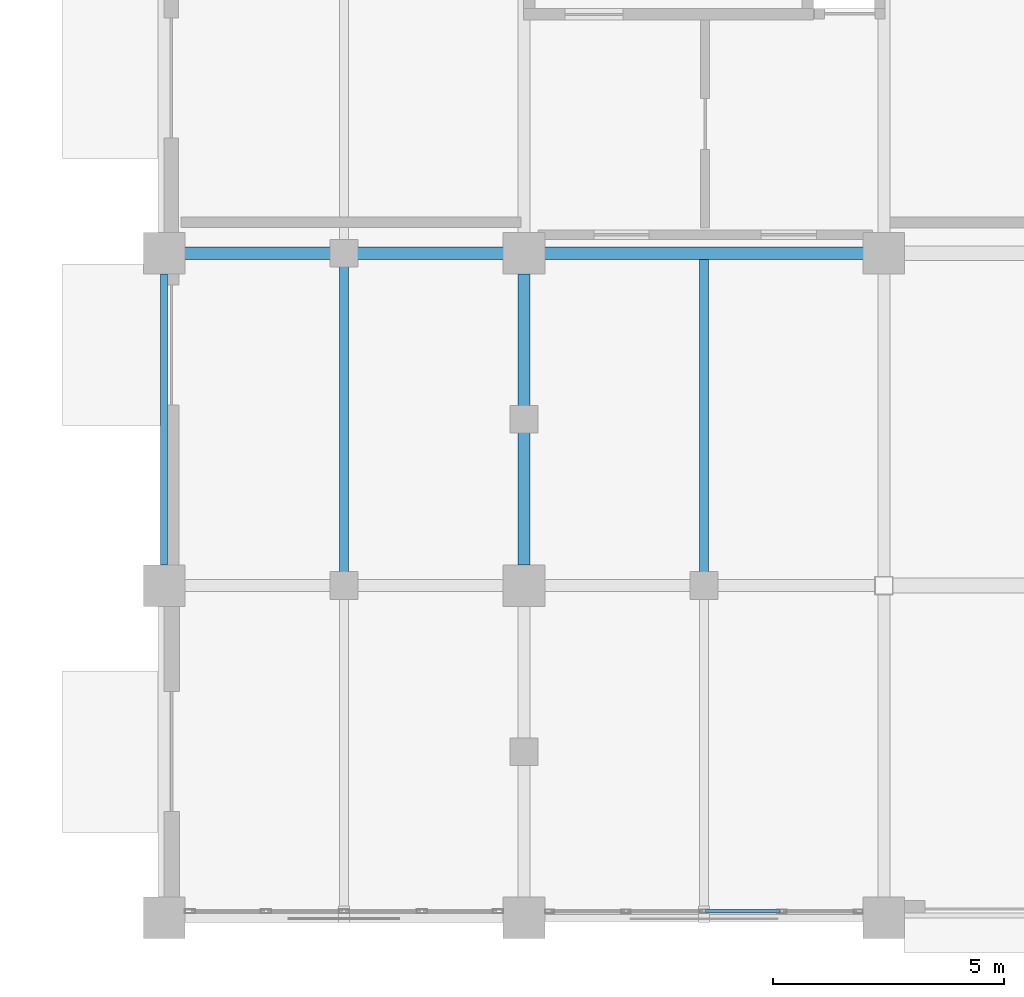
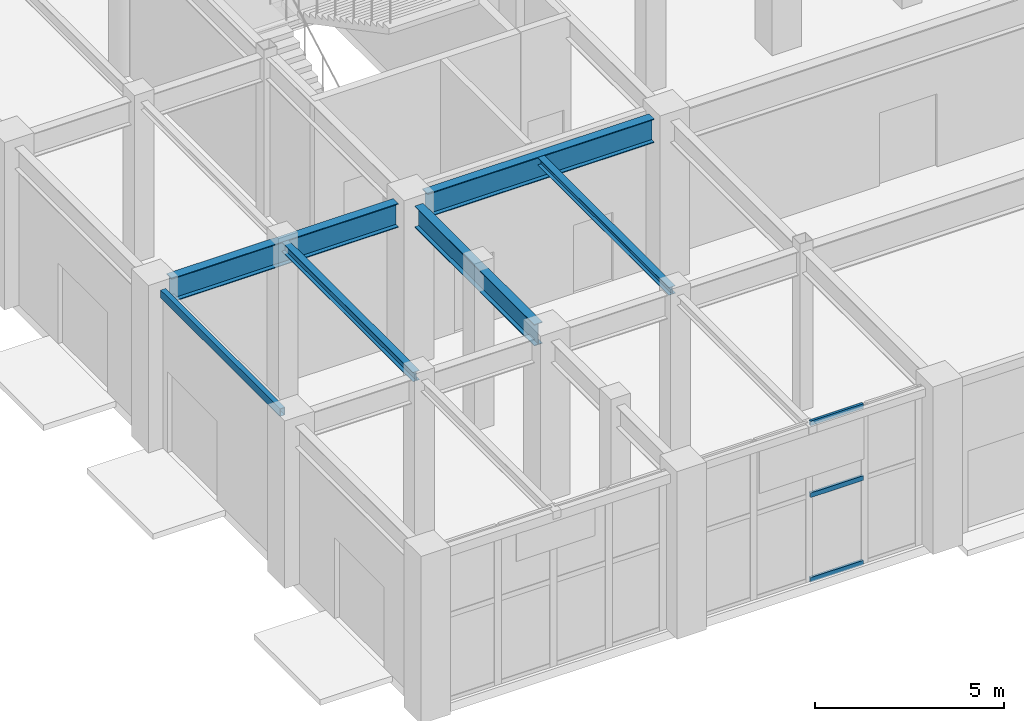
# One storey, part 77 of 139: 6 beams, 3 members, 1 element without a shape of its own.
"""IFC4 building model written with IfcOpenShell, lengths in metres."""

from ifc_helpers import new_model, si_unit, direction, frame, origin, origin_2d, place, context, subcontext, project, spatial, hollow_rectangle, i_section, extrude, material, layer, layer_set, material_profile, profile_set, type_object, element, aggregate, save


model = new_model("IFC4")

# Units and contexts
model_context = context("Model", 3, precision=1e-05, world=origin(), true_north=direction((0.0, 1.0)))
body_context = subcontext(model_context, "Body", "Model", "MODEL_VIEW")
ifc_project = project(units=[si_unit("LENGTHUNIT", "METRE"), si_unit("AREAUNIT", "SQUARE_METRE"), si_unit("VOLUMEUNIT", "CUBIC_METRE"), si_unit("PLANEANGLEUNIT", "RADIAN"), si_unit("MASSUNIT", "GRAM", prefix="KILO")], contexts=[model_context])

# Site, building, storey
site_placement = place(None, origin())
site = spatial("IfcSite", under=ifc_project, at=site_placement, CompositionType="ELEMENT")
building_placement = place(site_placement, origin())
building = spatial("IfcBuilding", under=site, at=building_placement, Name="Xicomal Pleat Aquarium", CompositionType="ELEMENT")
storey_placement = place(building_placement, origin())
storey = spatial("IfcBuildingStorey", under=building, at=storey_placement, Name="L01", CompositionType="ELEMENT", Elevation=0.0)

# Beams
ifc_material_1 = material(Name="Structural steel A992 Gr 50", Category="steel")
ifc_material_profile_1 = material_profile(ifc_material_1, i_section(OverallWidth=0.201904296875, OverallDepth=0.2470703125, WebThickness=0.00732421875, FlangeThickness=0.010986328125, at=origin_2d()), Name="IR 250x49")
ifc_profile_set_1 = profile_set([ifc_material_profile_1], Name="Structural steel A992 Gr 50")
beam_type_1 = type_object("IfcBeamType", Name="BM-STL-IR250", PredefinedType="JOIST", material=ifc_profile_set_1)
beam_1_placement = place(storey_placement, frame((145.5, 8.136962890625, 4.99658203125), z_axis=(0.0, 1.0, 0.0), x_axis=(-1.0, 0.0, 0.0)))
element("IfcBeam", 1, at=beam_1_placement, inside=storey, type_object=beam_type_1, Name="L01 framing beam FBJ-L01-18-B-1", PredefinedType="JOIST", context=body_context, shape_type="SweptSolid", body=[
    extrude(i_section(OverallWidth=0.201904296875, OverallDepth=0.2470703125, WebThickness=0.00732421875, FlangeThickness=0.010986328125, at=origin_2d()), origin(), (0.0, 0.0, 1.0), 6.926025390625),
])
ifc_material_2 = material(Name="Structural steel A992 Gr 50", Category="steel")
ifc_material_profile_2 = material_profile(ifc_material_2, i_section(OverallWidth=0.202880859375, OverallDepth=0.302978515625, WebThickness=0.007568359375, FlangeThickness=0.01318359375, at=origin_2d()), Name="IR 310x60")
ifc_profile_set_2 = profile_set([ifc_material_profile_2], Name="Structural steel A992 Gr 50")
beam_type_2 = type_object("IfcBeamType", Name="BM-STL-IR310", PredefinedType="JOIST", material=ifc_profile_set_2)
beam_2_placement = place(storey_placement, frame((137.699951171875, 8.136962890625, 4.968505859375), z_axis=(0.0, 1.0, 0.0), x_axis=(-1.0, 0.0, 0.0)))
element("IfcBeam", 2, at=beam_2_placement, inside=storey, type_object=beam_type_2, Name="L01 framing beam FBJ-L01-17-B-1", PredefinedType="JOIST", context=body_context, shape_type="SweptSolid", body=[
    extrude(i_section(OverallWidth=0.202880859375, OverallDepth=0.302978515625, WebThickness=0.007568359375, FlangeThickness=0.01318359375, at=origin_2d()), origin(), (0.0, 0.0, 1.0), 6.926025390625),
])
ifc_material_3 = material(Name="Structural steel A992 Gr 50", Category="steel")
ifc_material_profile_3 = material_profile(ifc_material_3, i_section(OverallWidth=0.256103515625, OverallDepth=0.693115234375, WebThickness=0.014404296875, FlangeThickness=0.023681640625, at=origin_2d()), Name="IR 690x170")
ifc_profile_set_3 = profile_set([ifc_material_profile_3], Name="Structural steel A992 Gr 50")
beam_type_3 = type_object("IfcBeamType", Name="BM-STL-IR690", PredefinedType="BEAM", material=ifc_profile_set_3)
beam_3_placement = place(storey_placement, frame((141.60009765625, 8.445068359375, 4.7734375), z_axis=(0.0, 1.0, 0.0), x_axis=(-1.0, 0.0, 0.0)))
element("IfcBeam", 3, at=beam_3_placement, inside=storey, type_object=beam_type_3, Name="L01 framing beam FGY-L01-18-B-C", PredefinedType="BEAM", context=body_context, shape_type="SweptSolid", body=[
    extrude(i_section(OverallWidth=0.256103515625, OverallDepth=0.693115234375, WebThickness=0.014404296875, FlangeThickness=0.023681640625, at=origin_2d()), origin(), (0.0, 0.0, 1.0), 6.309814453125),
])
ifc_material_4 = material(Name="Structural steel A992 Gr 50", Category="steel")
ifc_material_profile_4 = material_profile(ifc_material_4, i_section(OverallWidth=0.26806640625, OverallDepth=0.77001953125, WebThickness=0.015625, FlangeThickness=0.025390625, at=origin_2d()), Name="IR 760x196")
ifc_profile_set_4 = profile_set([ifc_material_profile_4], Name="Structural steel A992 Gr 50")
beam_type_4 = type_object("IfcBeamType", Name="BM-STL-IR760", PredefinedType="BEAM", material=ifc_profile_set_4)
beam_4_placement = place(storey_placement, frame((134.2451171875, 15.199951171875, 4.735107421875), z_axis=(1.0, 0.0, 0.0), x_axis=(0.0, 1.0, 0.0)))
element("IfcBeam", 4, at=beam_4_placement, inside=storey, type_object=beam_type_4, Name="L01 framing beam FGX-L01-17-18-C", PredefinedType="BEAM", context=body_context, shape_type="SweptSolid", body=[
    extrude(i_section(OverallWidth=0.26806640625, OverallDepth=0.77001953125, WebThickness=0.015625, FlangeThickness=0.025390625, at=origin_2d()), origin(), (0.0, 0.0, 1.0), 6.909912109375),
])
beam_5_placement = place(storey_placement, frame((142.044921875, 15.199951171875, 4.735107421875), z_axis=(1.0, 0.0, 0.0), x_axis=(0.0, 1.0, 0.0)))
element("IfcBeam", 5, at=beam_5_placement, inside=storey, type_object=beam_type_4, Name="L01 framing beam FGX-L01-18-19-C", PredefinedType="BEAM", context=body_context, shape_type="SweptSolid", body=[
    extrude(i_section(OverallWidth=0.26806640625, OverallDepth=0.77001953125, WebThickness=0.015625, FlangeThickness=0.025390625, at=origin_2d()), origin(), (0.0, 0.0, 1.0), 6.91015625),
])
ifc_material_5 = material(Name="Structural steel A500 Gr C", Category="steel")
ifc_material_profile_5 = material_profile(ifc_material_5, hollow_rectangle(XDim=0.14990234375, YDim=0.25, WallThickness=0.010009765625, at=origin_2d()), Name="OR 250x150x10")
ifc_profile_set_5 = profile_set([ifc_material_profile_5], Name="Structural steel A500 Gr C")
beam_type_5 = type_object("IfcBeamType", Name="BM-STL-OR250", PredefinedType="SPANDREL", material=ifc_profile_set_5)
beam_6_placement = place(storey_placement, frame((133.800048828125, 8.445068359375, 4.9951171875), z_axis=(0.0, 1.0, 0.0), x_axis=(-1.0, 0.0, 0.0)))
element("IfcBeam", 6, at=beam_6_placement, inside=storey, type_object=beam_type_5, Name="L01 framing beam FGY-L01-17-B-C", PredefinedType="SPANDREL", context=body_context, shape_type="SweptSolid", body=[
    extrude(hollow_rectangle(XDim=0.14990234375, YDim=0.25, WallThickness=0.010009765625, at=origin_2d()), origin(), (0.0, 0.0, 1.0), 6.309814453125),
])

# Curtain wall, members
ifc_material_6 = material(Name="Bronze anodized aluminium 6063-T6", Category="aluminium")
ifc_layer = layer(ifc_material_6, 0.159912109375)
ifc_layer_set = layer_set([ifc_layer], Name="Bronze anodized aluminium 6063-T6")
curtain_wall_type = type_object("IfcCurtainWallType", Name="CW-SYS-06", PredefinedType="NOTDEFINED", material=ifc_layer_set)
curtain_wall_placement = place(storey_placement, origin())
curtain_wall = element("IfcCurtainWall", 7, at=curtain_wall_placement, inside=storey, type_object=curtain_wall_type, Name="L01 unitised curtain wall CW-L01-061", PredefinedType="NOTDEFINED")
ifc_material_7 = material(Name="Bronze anodized aluminium 6063-T6", Category="aluminium")
ifc_material_profile_6 = material_profile(ifc_material_7, hollow_rectangle(XDim=0.074951171875, YDim=0.14990234375, WallThickness=0.00439453125, at=origin_2d()), Name="ALU TRAN 75x150")
ifc_profile_set_6 = profile_set([ifc_material_profile_6], Name="Bronze anodized aluminium 6063-T6")
member_type = type_object("IfcMemberType", Name="CWT-75x150", PredefinedType="USERDEFINED", material=ifc_profile_set_6)
member_1_placement = place(storey_placement, frame((147.152587890625, 0.93994140625, 0.03759765625), z_axis=(-1.0, 0.0, 0.0), x_axis=(0.0, -1.0, 0.0)))
member_1 = element("IfcMember", 8, at=member_1_placement, type_object=member_type, Name="CW-06 transom 2.1", ObjectType="TRANSOM", PredefinedType="USERDEFINED", context=body_context, shape_type="SweptSolid", body=[
    extrude(hollow_rectangle(XDim=0.074951171875, YDim=0.14990234375, WallThickness=0.00439453125, at=origin_2d()), origin(), (0.0, 0.0, 1.0), 1.614990234375),
])
member_2_placement = place(storey_placement, frame((147.152587890625, 0.93994140625, 2.764892578125), z_axis=(-1.0, 0.0, 0.0), x_axis=(0.0, -1.0, 0.0)))
member_2 = element("IfcMember", 9, at=member_2_placement, type_object=member_type, Name="CW-06 transom 2.2", ObjectType="TRANSOM", PredefinedType="USERDEFINED", context=body_context, shape_type="SweptSolid", body=[
    extrude(hollow_rectangle(XDim=0.074951171875, YDim=0.14990234375, WallThickness=0.00439453125, at=origin_2d()), origin(), (0.0, 0.0, 1.0), 1.614990234375),
])
member_3_placement = place(storey_placement, frame((147.152587890625, 0.93994140625, 5.08251953125), z_axis=(-1.0, 0.0, 0.0), x_axis=(0.0, -1.0, 0.0)))
member_3 = element("IfcMember", 10, at=member_3_placement, type_object=member_type, Name="CW-06 transom 2.3", ObjectType="TRANSOM", PredefinedType="USERDEFINED", context=body_context, shape_type="SweptSolid", body=[
    extrude(hollow_rectangle(XDim=0.074951171875, YDim=0.14990234375, WallThickness=0.00439453125, at=origin_2d()), origin(), (0.0, 0.0, 1.0), 1.614990234375),
])
aggregate(curtain_wall, [member_1, member_2, member_3])

save(model, "model.ifc")
